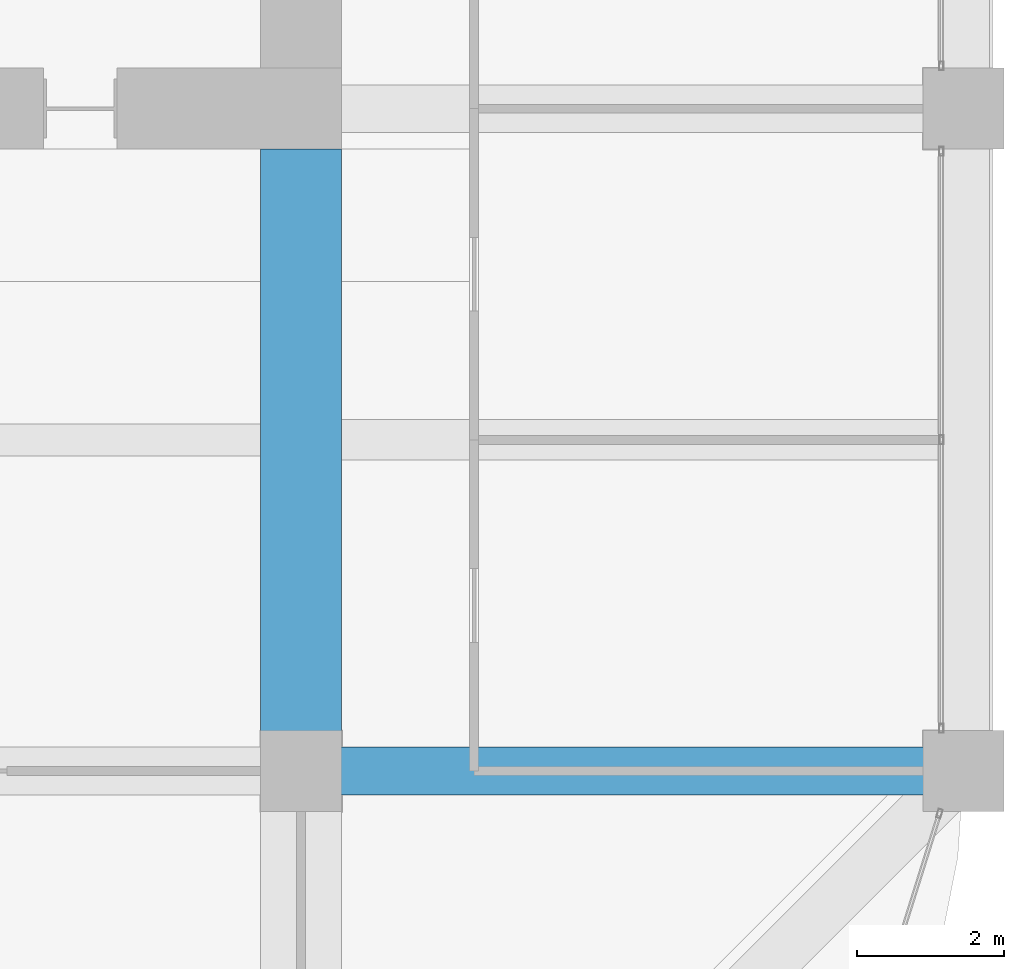
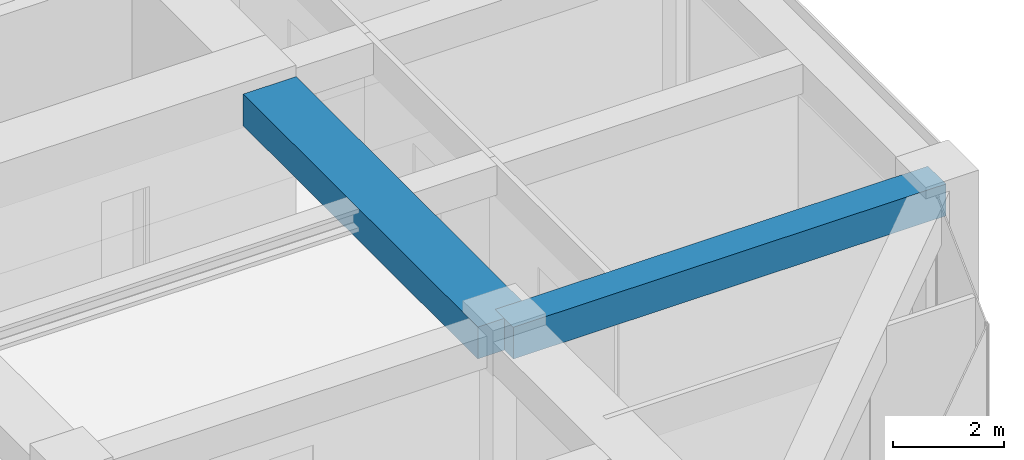
# One storey, part 21 of 45: 2 beams.
"""IFC4 building model written with IfcOpenShell, lengths in metres."""

import ifcopenshell
import ifcopenshell.guid

model = None  # the IFC model being written
_history = None  # IfcOwnerHistory: only IFC2X3 demands one
_inside = {}  # id of a spatial element -> (the spatial element, [elements in it])
_under = {}  # id of a project, library or spatial element -> (it, [spatial elements below it])
_declared = {}  # id of a project -> (the project, [libraries it declares])
_typed = {}  # id of a type object -> (the type object, [elements of that type])
_made_of = {}  # id of a material, layer set ... -> (it, [elements and type objects made of it])


def new_model(schema):
    """Start an empty IFC model of exactly this schema.

    Asked for "IFC4X3", IfcOpenShell would pick the latest addendum, in which some entities
    have other attributes; the version numbers below select the first issue.
    IFC2X3 requires an IfcOwnerHistory on every rooted entity: one is made here for all.
    """
    global model, _history
    if schema == "IFC4X3":
        model = ifcopenshell.file(schema_version=(4, 3, 0, 0))
    else:
        model = ifcopenshell.file(schema=schema)
    _inside.clear()
    _under.clear()
    _declared.clear()
    _typed.clear()
    _made_of.clear()
    _history = None
    if model.schema == "IFC2X3":
        org = make("IfcOrganization", Name="unknown")
        user = make(
            "IfcPersonAndOrganization",
            ThePerson=make("IfcPerson", FamilyName="unknown"),
            TheOrganization=org,
        )
        app = make(
            "IfcApplication",
            ApplicationDeveloper=org,
            Version="unknown",
            ApplicationFullName="unknown",
            ApplicationIdentifier="unknown",
        )
        _history = make(
            "IfcOwnerHistory",
            OwningUser=user,
            OwningApplication=app,
            ChangeAction="ADDED",
            CreationDate=0,
        )
    return model


def make(cls, **values):
    """One entity of the class cls with the attributes given. An attribute that is None is left unset."""
    return model.create_entity(
        cls, **{name: value for name, value in values.items() if value is not None}
    )


def rooted(cls, **values):
    """An entity with a GlobalId (a new one), such as an element, a storey or a relation."""
    return make(cls, GlobalId=ifcopenshell.guid.new(), OwnerHistory=_history, **values)


def si_unit(unit_type, name, prefix=None):
    """IfcSIUnit, for example si_unit("LENGTHUNIT", "METRE", prefix="MILLI")."""
    return make("IfcSIUnit", UnitType=unit_type, Prefix=prefix, Name=name)


def assignment(units):
    """IfcUnitAssignment: the units of a project."""
    return None if units is None else make("IfcUnitAssignment", Units=units)


def point(xyz):
    """IfcCartesianPoint."""
    return None if xyz is None else make("IfcCartesianPoint", Coordinates=xyz)


def direction(xyz):
    """IfcDirection."""
    return None if xyz is None else make("IfcDirection", DirectionRatios=xyz)


def frame(location, z_axis=None, x_axis=None):
    """IfcAxis2Placement3D, a coordinate frame: its origin and axes. An axis left out is left unset."""
    return make(
        "IfcAxis2Placement3D",
        Location=point(location),
        Axis=direction(z_axis),
        RefDirection=direction(x_axis),
    )


def frame_2d(location, x_axis=None):
    """IfcAxis2Placement2D, a coordinate frame in the plane: its origin and x axis."""
    return make(
        "IfcAxis2Placement2D", Location=point(location), RefDirection=direction(x_axis)
    )


def origin():
    """The frame at (0, 0, 0) with its axes left unset."""
    return frame((0.0, 0.0, 0.0))


def origin_2d():
    """The frame at (0, 0) in the plane with its x axis left unset."""
    return frame_2d((0.0, 0.0))


def place(relative_to, where):
    """IfcLocalPlacement: puts the frame where relative to a parent placement (None: the world)."""
    return make(
        "IfcLocalPlacement", PlacementRelTo=relative_to, RelativePlacement=where
    )


def context(
    kind, dimensions, precision=None, world=None, true_north=None, identifier=None
):
    """IfcGeometricRepresentationContext, for example the 3D "Model" context."""
    return make(
        "IfcGeometricRepresentationContext",
        ContextIdentifier=identifier,
        ContextType=kind,
        CoordinateSpaceDimension=dimensions,
        Precision=precision,
        WorldCoordinateSystem=world,
        TrueNorth=true_north,
    )


def subcontext(parent, identifier, kind, view, scale=None):
    """IfcGeometricRepresentationSubContext, for example "Body" below "Model"."""
    return make(
        "IfcGeometricRepresentationSubContext",
        ContextIdentifier=identifier,
        ContextType=kind,
        ParentContext=parent,
        TargetScale=scale,
        TargetView=view,
    )


def project(units=None, contexts=None):
    """IfcProject with its units and contexts."""
    return rooted(
        "IfcProject",
        Name="project",
        RepresentationContexts=contexts,
        UnitsInContext=assignment(units),
    )


def spatial(cls, under=None, at=None, **own):
    """A site, building, storey or space (cls), placed at a placement, below another one or the project."""
    s = rooted(cls, ObjectPlacement=at, **own)
    if under is not None:
        _under.setdefault(under.id(), (under, []))[1].append(s)
    return s


def profile(cls, at=None, kind="AREA", **sizes):
    """A parametric profile (cls). Its sizes go by their IFC names, for example OverallWidth=200.0."""
    return make(cls, ProfileType=kind, Position=at, **sizes)


def rectangle(**sizes):
    """IfcRectangleProfileDef."""
    return profile("IfcRectangleProfileDef", **sizes)


def extrude(swept, where, along, depth):
    """IfcExtrudedAreaSolid: the profile swept, set in the frame where, extruded along a direction by depth."""
    return make(
        "IfcExtrudedAreaSolid",
        SweptArea=swept,
        Position=where,
        ExtrudedDirection=direction(along),
        Depth=depth,
    )


def shape(context_of_items, identifier, shape_type, items):
    """IfcShapeRepresentation: the items that make up one representation, for example the "Body"."""
    return make(
        "IfcShapeRepresentation",
        ContextOfItems=context_of_items,
        RepresentationIdentifier=identifier,
        RepresentationType=shape_type,
        Items=items,
    )


def material(Name=None, Category=None):
    """IfcMaterial."""
    return make("IfcMaterial", Name=Name, Category=Category)


def material_profile(
    of_material, cross_section, Name=None, Category=None, Priority=None
):
    """IfcMaterialProfile: a cross section and its material."""
    return make(
        "IfcMaterialProfile",
        Name=Name,
        Material=of_material,
        Profile=cross_section,
        Priority=Priority,
        Category=Category,
    )


def profile_set(profiles, Name=None, composite=None):
    """IfcMaterialProfileSet."""
    return make(
        "IfcMaterialProfileSet",
        Name=Name,
        MaterialProfiles=profiles,
        CompositeProfile=composite,
    )


def made_of(thing, what):
    """Note that an element or type object is made of a material, layer set ...; save() writes the relation."""
    if what is not None:
        _made_of.setdefault(what.id(), (what, []))[1].append(thing)
    return thing


def type_object(cls, material=None, **own):
    """A type object (cls), such as IfcWallType, which elements share."""
    return made_of(rooted(cls, **own), material)


def element(
    cls,
    number,
    at=None,
    inside=None,
    cuts=None,
    type_object=None,
    material=None,
    context=None,
    identifier="Body",
    shape_type=None,
    held_by="IfcProductDefinitionShape",
    body=None,
    shapes=None,
    **own,
):
    """One element of the class cls, such as IfcWall. Its Tag is "e" and its number.

    at: its placement. inside: the storey or other place that contains it. cuts: it is an
    opening in that element (IfcRelVoidsElement). A single representation is given by context,
    identifier, shape_type and body (its items); several are given by shapes. held_by: the class
    of the entity that holds the representations. save() writes the other relations.
    """
    e = rooted(cls, Tag="e%d" % number, ObjectPlacement=at, **own)
    if body is not None:
        shapes = [shape(context, identifier, shape_type, body)]
    if shapes is not None:
        e.Representation = make(held_by, Representations=shapes)
    if inside is not None:
        _inside.setdefault(inside.id(), (inside, []))[1].append(e)
    if cuts is not None:
        rooted(
            "IfcRelVoidsElement", RelatingBuildingElement=cuts, RelatedOpeningElement=e
        )
    if type_object is not None:
        _typed.setdefault(type_object.id(), (type_object, []))[1].append(e)
    return made_of(e, material)


def aggregate(whole, parts):
    """IfcRelAggregates: a whole, such as a stair, and the parts it consists of."""
    return rooted("IfcRelAggregates", RelatingObject=whole, RelatedObjects=parts)


def save(model, path):
    """Write the relations noted so far, then the file.

    IfcRelAggregates (storeys below a building ...), IfcRelContainedInSpatialStructure (elements
    in a storey), IfcRelDefinesByType, IfcRelAssociatesMaterial and IfcRelDeclares: one each for
    every whole, place, type object, material and project.
    """
    for whole, parts in _under.values():
        aggregate(whole, parts)
    for where, things in _inside.values():
        rooted(
            "IfcRelContainedInSpatialStructure",
            RelatedElements=things,
            RelatingStructure=where,
        )
    for kind, things in _typed.values():
        rooted("IfcRelDefinesByType", RelatedObjects=things, RelatingType=kind)
    for what, things in _made_of.values():
        rooted("IfcRelAssociatesMaterial", RelatedObjects=things, RelatingMaterial=what)
    for by, libraries in _declared.values():
        rooted("IfcRelDeclares", RelatingContext=by, RelatedDefinitions=libraries)
    model.write(path)


model = new_model("IFC4")

# Units and contexts
model_context = context("Model", 3, precision=1e-05, world=origin(), true_north=direction((0.0, 1.0)))
body_context = subcontext(model_context, "Body", "Model", "MODEL_VIEW")
ifc_project = project(units=[si_unit("LENGTHUNIT", "METRE"), si_unit("AREAUNIT", "SQUARE_METRE"), si_unit("VOLUMEUNIT", "CUBIC_METRE"), si_unit("PLANEANGLEUNIT", "RADIAN"), si_unit("MASSUNIT", "GRAM", prefix="KILO")], contexts=[model_context])

# Site, building, storey
site_placement = place(None, origin())
site = spatial("IfcSite", under=ifc_project, at=site_placement, CompositionType="ELEMENT")
building_placement = place(site_placement, origin())
building = spatial("IfcBuilding", under=site, at=building_placement, Name="Zorevar Civic Tower", CompositionType="ELEMENT")
storey_placement = place(building_placement, frame((0.0, 0.0, 279.39990234375)))
storey = spatial("IfcBuildingStorey", under=building, at=storey_placement, Name="L68", CompositionType="ELEMENT", Elevation=279.39990234375)

# Beams
ifc_material_1 = material(Name="Concrete C50/60", Category="concrete")
ifc_material_profile_1 = material_profile(ifc_material_1, rectangle(XDim=1.10009765625, YDim=0.699951171875, at=origin_2d()), Name="RC 1100x700")
ifc_profile_set_1 = profile_set([ifc_material_profile_1], Name="Concrete C50/60")
beam_type_1 = type_object("IfcBeamType", Name="Beam RC 1100x700", PredefinedType="BEAM", material=ifc_profile_set_1)
beam_1_placement = place(storey_placement, frame((45.0, 9.0, 3.400146484375), z_axis=(0.0, 1.0, 0.0), x_axis=(-1.0, 0.0, 0.0)))
element("IfcBeam", 1, at=beam_1_placement, inside=storey, type_object=beam_type_1, Name="Girder L69", PredefinedType="BEAM", context=body_context, shape_type="SweptSolid", body=[
    extrude(rectangle(XDim=1.10009765625, YDim=0.699951171875, at=origin_2d()), origin(), (0.0, 0.0, 1.0), 8.449951171875),
])
ifc_material_2 = material(Name="Concrete C50/60", Category="concrete")
ifc_material_profile_2 = material_profile(ifc_material_2, rectangle(XDim=0.64990234375, YDim=0.699951171875, at=origin_2d()), Name="RC 650x700")
ifc_profile_set_2 = profile_set([ifc_material_profile_2], Name="Concrete C50/60")
beam_type_2 = type_object("IfcBeamType", Name="Beam RC 650x700", PredefinedType="BEAM", material=ifc_profile_set_2)
beam_2_placement = place(storey_placement, frame((45.0, 9.0, 3.400146484375), z_axis=(1.0, 0.0, 0.0), x_axis=(0.0, 1.0, 0.0)))
element("IfcBeam", 2, at=beam_2_placement, inside=storey, type_object=beam_type_2, Name="Girder L69", PredefinedType="BEAM", context=body_context, shape_type="SweptSolid", body=[
    extrude(rectangle(XDim=0.64990234375, YDim=0.699951171875, at=origin_2d()), origin(), (0.0, 0.0, 1.0), 9.0),
])

save(model, "model.ifc")
